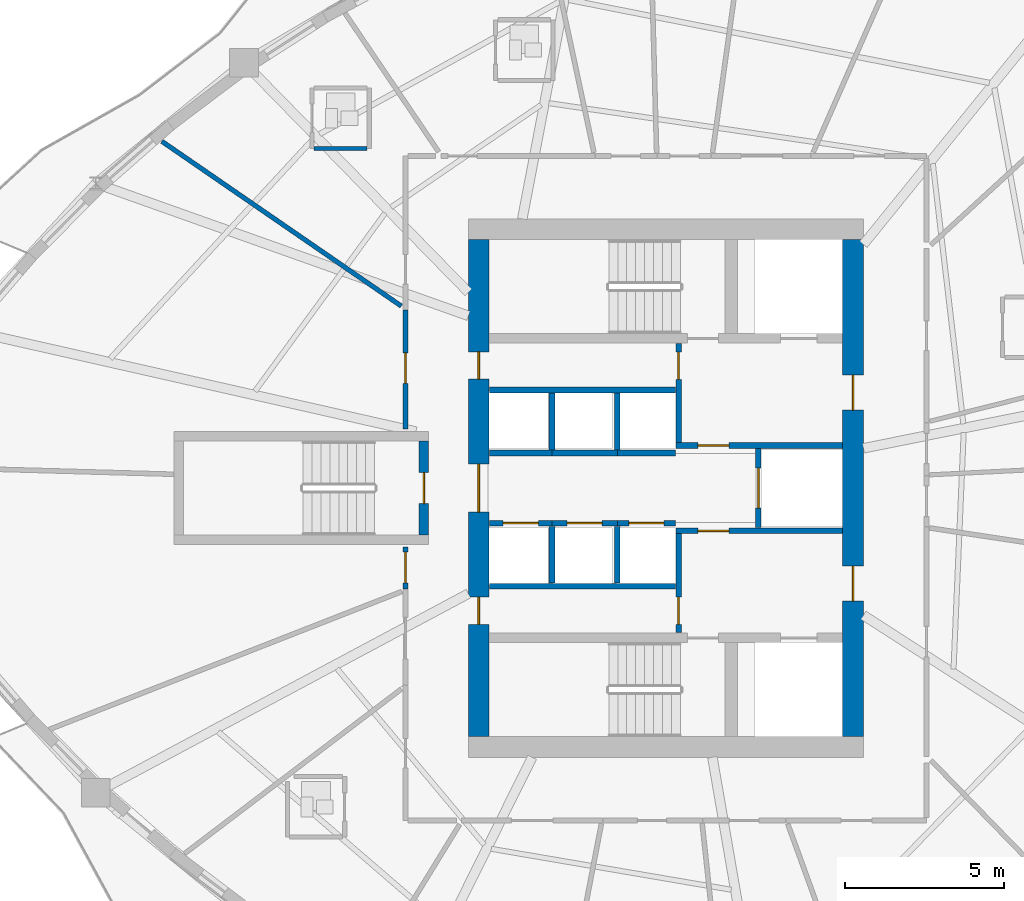
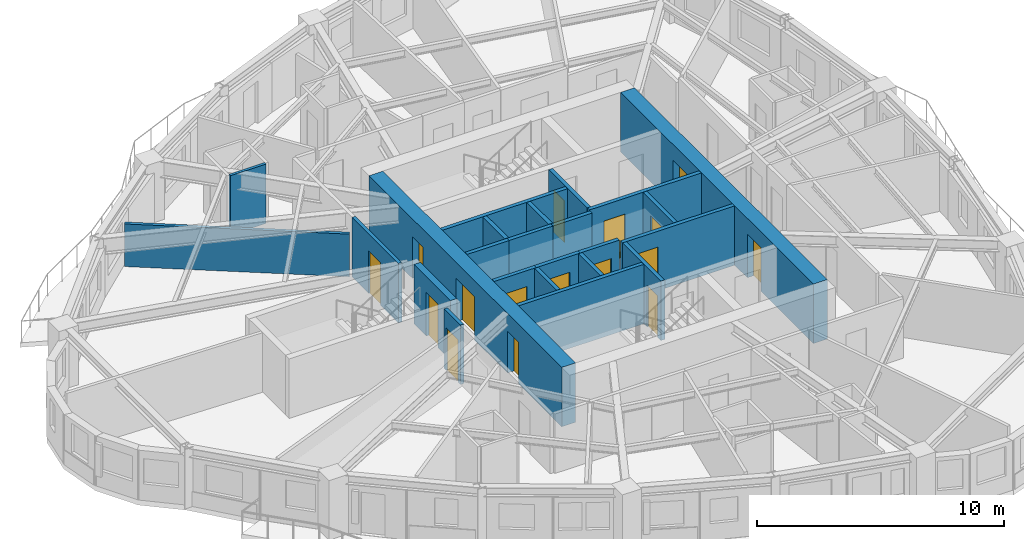
# One storey, part 5 of 12: 24 walls, 16 doors, 16 openings.
"""IFC4 building model written with IfcOpenShell, lengths in metres."""

from ifc_helpers import new_model, si_unit, direction, frame, frame_2d, origin, place, context, subcontext, project, spatial, rectangle, extrude, source, transform, mapped, material, layer, layer_set, type_object, element, fill, save


model = new_model("IFC4")

# Units and contexts
model_context = context("Model", 3, precision=1e-05, world=origin(), true_north=direction((0.0, 1.0)))
body_context = subcontext(model_context, "Body", "Model", "MODEL_VIEW")
ifc_project = project(units=[si_unit("LENGTHUNIT", "METRE"), si_unit("AREAUNIT", "SQUARE_METRE"), si_unit("VOLUMEUNIT", "CUBIC_METRE"), si_unit("PLANEANGLEUNIT", "RADIAN"), si_unit("MASSUNIT", "GRAM", prefix="KILO")], contexts=[model_context])

# Site, building, storey
site_placement = place(None, origin())
site = spatial("IfcSite", under=ifc_project, at=site_placement, CompositionType="ELEMENT")
building_placement = place(site_placement, origin())
building = spatial("IfcBuilding", under=site, at=building_placement, Name="Qafzar Sky-Pleat Residences", CompositionType="ELEMENT")
storey_placement = place(building_placement, frame((0.0, 0.0, 76.800048828125)))
storey = spatial("IfcBuildingStorey", under=building, at=storey_placement, Name="L22", CompositionType="ELEMENT", Elevation=76.800048828125)

# Wall, opening, door
ifc_material_1 = material(Name="Acoustic gypsum plasterboard partition", Category="gypsum")
ifc_layer_1 = layer(ifc_material_1, 0.159912109375)
ifc_layer_set_1 = layer_set([ifc_layer_1], Name="Acoustic gypsum plasterboard partition")
wall_type_1 = type_object("IfcWallType", Name="PART-COR-160", PredefinedType="PARTITIONING", material=ifc_layer_set_1)
wall_1_placement = place(storey_placement, frame((22.169921875, 27.85009765625, 0.0), z_axis=(0.0, 0.0, 1.0), x_axis=(0.0, 1.0, 0.0)))
wall_1 = element("IfcWall", 1, at=wall_1_placement, inside=storey, type_object=wall_type_1, Name="L22 Partition Wall PART-L22-PW-008", PredefinedType="PARTITIONING", context=body_context, shape_type="SweptSolid", body=[
    extrude(rectangle(XDim=3.744873046875, YDim=0.159912109375, at=frame_2d((1.87255859375, 0.0))), origin(), (0.0, 0.0, 1.0), 2.93505859375),
])
opening_1_placement = place(wall_1_placement, frame((1.4384765625, 0.0, 0.0)))
opening_1 = element("IfcOpeningElement", 2, at=opening_1_placement, cuts=wall_1, Name="Opening ID-06", PredefinedType="OPENING", context=body_context, shape_type="SweptSolid", body=[
    extrude(rectangle(XDim=0.9599609375, YDim=2.10009765625, at=frame_2d((0.47998046875, 1.050048828125))), frame((0.0, 0.08984375, 0.0), z_axis=(0.0, -1.0, 0.0), x_axis=(1.0, 0.0, 0.0)), (0.0, 0.0, 1.0), 0.179931640625),
])
ifc_material_2 = material(Name="Timber-faced fire door", Category="wood")
door_type_1 = type_object("IfcDoorType", Name="DR-STD-960", OperationType="NOTDEFINED", PredefinedType="DOOR", material=ifc_material_2)
shared_shape_1 = source(origin(), body_context, "Body", "SweptSolid", [
    extrude(rectangle(XDim=0.9599609375, YDim=2.10009765625, at=frame_2d((0.47998046875, 1.050048828125))), frame((0.0, 0.02490234375, 0.0), z_axis=(0.0, -1.0, 0.0), x_axis=(1.0, 0.0, 0.0)), (0.0, 0.0, 1.0), 0.050048828125),
])
door_1_placement = place(opening_1_placement, origin())
door_1 = element("IfcDoor", 3, at=door_1_placement, inside=storey, type_object=door_type_1, Name="L22 Scholar Co-Working Workspace Door", OperationType="SINGLE_SWING_RIGHT", OverallHeight=2.10009765625, OverallWidth=0.9599609375, PredefinedType="DOOR", context=body_context, shape_type="MappedRepresentation", body=[
    mapped(shared_shape_1, transform((0.0, 0.0, 0.0), x_axis=(1.0, 0.0, 0.0), y_axis=(0.0, 1.0, 0.0), z_axis=(0.0, 0.0, 1.0), scale=1.0)),
])
fill(opening_1, door_1)

wall_2_placement = place(storey_placement, frame((22.169921875, 22.8291015625, 0.0), z_axis=(0.0, 0.0, 1.0), x_axis=(0.0, 1.0, 0.0)))
wall_2 = element("IfcWall", 4, at=wall_2_placement, inside=storey, type_object=wall_type_1, Name="L22 Partition Wall PART-L22-PW-024", PredefinedType="PARTITIONING", context=body_context, shape_type="SweptSolid", body=[
    extrude(rectangle(XDim=1.32080078125, YDim=0.159912109375, at=frame_2d((0.660400390625, 0.0))), origin(), (0.0, 0.0, 1.0), 2.93505859375),
])
opening_2_placement = place(wall_2_placement, frame((0.198486328125, 0.0, 0.0)))
opening_2 = element("IfcOpeningElement", 5, at=opening_2_placement, cuts=wall_2, Name="Opening ID-06", PredefinedType="OPENING", context=body_context, shape_type="SweptSolid", body=[
    extrude(rectangle(XDim=0.9599609375, YDim=2.10009765625, at=frame_2d((0.47998046875, 1.050048828125))), frame((0.0, 0.08984375, 0.0), z_axis=(0.0, -1.0, 0.0), x_axis=(1.0, 0.0, 0.0)), (0.0, 0.0, 1.0), 0.179931640625),
])
door_2_placement = place(opening_2_placement, origin())
door_2 = element("IfcDoor", 6, at=door_2_placement, inside=storey, type_object=door_type_1, Name="L22 Faculty Research Office Door", OperationType="SINGLE_SWING_RIGHT", OverallHeight=2.10009765625, OverallWidth=0.9599609375, PredefinedType="DOOR", context=body_context, shape_type="MappedRepresentation", body=[
    mapped(shared_shape_1, transform((0.0, 0.0, 0.0), x_axis=(1.0, 0.0, 0.0), y_axis=(0.0, 1.0, 0.0), z_axis=(0.0, 0.0, 1.0), scale=1.0)),
])
fill(opening_2, door_2)

ifc_material_3 = material(Name="Concrete blockwork partition", Category="masonry")
ifc_layer_2 = layer(ifc_material_3, 0.179931640625)
ifc_layer_set_2 = layer_set([ifc_layer_2], Name="Concrete blockwork partition")
wall_type_2 = type_object("IfcWallType", Name="PART-SHAFT-180", PredefinedType="PARTITIONING", material=ifc_layer_set_2)
wall_3_placement = place(storey_placement, frame((30.75, 21.4599609375, 0.0), z_axis=(0.0, 0.0, 1.0), x_axis=(0.0, 1.0, 0.0)))
wall_3 = element("IfcWall", 7, at=wall_3_placement, inside=storey, type_object=wall_type_2, Name="L22 Partition Wall PART-L22-FFL1-W", PredefinedType="PARTITIONING", context=body_context, shape_type="SweptSolid", body=[
    extrude(rectangle(XDim=3.110107421875, YDim=0.179931640625, at=frame_2d((1.55517578125, 0.0))), origin(), (0.0, 0.0, 1.0), 2.93505859375),
])
opening_3_placement = place(wall_3_placement, frame((0.260009765625, 0.0, 0.0)))
opening_3 = element("IfcOpeningElement", 8, at=opening_3_placement, cuts=wall_3, Name="Opening ID-09", PredefinedType="OPENING", context=body_context, shape_type="SweptSolid", body=[
    extrude(rectangle(XDim=0.860107421875, YDim=2.050048828125, at=frame_2d((0.43017578125, 1.02490234375))), frame((0.0, 0.10009765625, 0.0), z_axis=(0.0, -1.0, 0.0), x_axis=(1.0, 0.0, 0.0)), (0.0, 0.0, 1.0), 0.199951171875),
])
door_type_2 = type_object("IfcDoorType", Name="DR-SVC-860", OperationType="NOTDEFINED", PredefinedType="DOOR", material=ifc_material_2)
shared_shape_2 = source(origin(), body_context, "Body", "SweptSolid", [
    extrude(rectangle(XDim=0.860107421875, YDim=2.050048828125, at=frame_2d((0.43017578125, 1.02490234375))), frame((0.0, 0.02490234375, 0.0), z_axis=(0.0, -1.0, 0.0), x_axis=(1.0, 0.0, 0.0)), (0.0, 0.0, 1.0), 0.050048828125),
])
door_3_placement = place(opening_3_placement, origin())
door_3 = element("IfcDoor", 9, at=door_3_placement, inside=storey, type_object=door_type_2, Name="L22 South Core Cupboard Door", OperationType="SINGLE_SWING_RIGHT", OverallHeight=2.050048828125, OverallWidth=0.860107421875, PredefinedType="DOOR", context=body_context, shape_type="MappedRepresentation", body=[
    mapped(shared_shape_2, transform((0.0, 0.0, 0.0), x_axis=(1.0, 0.0, 0.0), y_axis=(0.0, 1.0, 0.0), z_axis=(0.0, 0.0, 1.0), scale=1.0)),
])
fill(opening_3, door_3)

wall_4_placement = place(storey_placement, frame((30.669921875, 24.659912109375, 0.0), z_axis=(0.0, 0.0, 1.0), x_axis=(1.0, 0.0, 0.0)))
wall_4 = element("IfcWall", 10, at=wall_4_placement, inside=storey, type_object=wall_type_2, Name="L22 Partition Wall PART-L22-FFL1-N", PredefinedType="PARTITIONING", context=body_context, shape_type="SweptSolid", body=[
    extrude(rectangle(XDim=5.219970703125, YDim=0.179931640625, at=frame_2d((2.60986328125, 0.0))), origin(), (0.0, 0.0, 1.0), 2.93505859375),
])
opening_4_placement = place(wall_4_placement, frame((0.679931640625, 0.0, 0.0)))
opening_4 = element("IfcOpeningElement", 11, at=opening_4_placement, cuts=wall_4, Name="Opening ID-01", PredefinedType="OPENING", context=body_context, shape_type="SweptSolid", body=[
    extrude(rectangle(XDim=0.97998046875, YDim=2.14990234375, at=frame_2d((0.489990234375, 1.074951171875))), frame((0.0, 0.10009765625, 0.0), z_axis=(0.0, -1.0, 0.0), x_axis=(1.0, 0.0, 0.0)), (0.0, 0.0, 1.0), 0.199951171875),
])
door_type_3 = type_object("IfcDoorType", Name="DR-STAIR-980", OperationType="NOTDEFINED", PredefinedType="DOOR", material=ifc_material_2)
shared_shape_3 = source(origin(), body_context, "Body", "SweptSolid", [
    extrude(rectangle(XDim=0.97998046875, YDim=2.14990234375, at=frame_2d((0.489990234375, 1.074951171875))), frame((0.0, 0.02490234375, 0.0), z_axis=(0.0, -1.0, 0.0), x_axis=(1.0, 0.0, 0.0)), (0.0, 0.0, 1.0), 0.050048828125),
])
door_4_placement = place(opening_4_placement, origin())
door_4 = element("IfcDoor", 12, at=door_4_placement, inside=storey, type_object=door_type_3, Name="L22 Lift Lobby to South Firefighting Lobby Door", OperationType="SINGLE_SWING_LEFT", OverallHeight=2.14990234375, OverallWidth=0.97998046875, PredefinedType="DOOR", context=body_context, shape_type="MappedRepresentation", body=[
    mapped(shared_shape_3, transform((0.0, 0.0, 0.0), x_axis=(1.0, 0.0, 0.0), y_axis=(0.0, 1.0, 0.0), z_axis=(0.0, 0.0, 1.0), scale=1.0)),
])
fill(opening_4, door_4)

wall_5_placement = place(storey_placement, frame((30.75, 27.429931640625, 0.0), z_axis=(0.0, 0.0, 1.0), x_axis=(0.0, 1.0, 0.0)))
wall_5 = element("IfcWall", 13, at=wall_5_placement, inside=storey, type_object=wall_type_2, Name="L22 Partition Wall PART-L22-FFL2-W", PredefinedType="PARTITIONING", context=body_context, shape_type="SweptSolid", body=[
    extrude(rectangle(XDim=3.110107421875, YDim=0.179931640625, at=frame_2d((1.55517578125, 0.0))), origin(), (0.0, 0.0, 1.0), 2.93505859375),
])
opening_5_placement = place(wall_5_placement, frame((1.97998046875, 0.0, 0.0)))
opening_5 = element("IfcOpeningElement", 14, at=opening_5_placement, cuts=wall_5, Name="Opening ID-09", PredefinedType="OPENING", context=body_context, shape_type="SweptSolid", body=[
    extrude(rectangle(XDim=0.860107421875, YDim=2.050048828125, at=frame_2d((0.43017578125, 1.02490234375))), frame((0.0, 0.10009765625, 0.0), z_axis=(0.0, -1.0, 0.0), x_axis=(1.0, 0.0, 0.0)), (0.0, 0.0, 1.0), 0.199951171875),
])
door_5_placement = place(opening_5_placement, origin())
door_5 = element("IfcDoor", 15, at=door_5_placement, inside=storey, type_object=door_type_2, Name="L22 North Core Cupboard Door", OperationType="SINGLE_SWING_RIGHT", OverallHeight=2.050048828125, OverallWidth=0.860107421875, PredefinedType="DOOR", context=body_context, shape_type="MappedRepresentation", body=[
    mapped(shared_shape_2, transform((0.0, 0.0, 0.0), x_axis=(1.0, 0.0, 0.0), y_axis=(0.0, 1.0, 0.0), z_axis=(0.0, 0.0, 1.0), scale=1.0)),
])
fill(opening_5, door_5)

wall_6_placement = place(storey_placement, frame((30.669921875, 27.340087890625, 0.0), z_axis=(0.0, 0.0, 1.0), x_axis=(1.0, 0.0, 0.0)))
wall_6 = element("IfcWall", 16, at=wall_6_placement, inside=storey, type_object=wall_type_2, Name="L22 Partition Wall PART-L22-FFL2-S", PredefinedType="PARTITIONING", context=body_context, shape_type="SweptSolid", body=[
    extrude(rectangle(XDim=5.219970703125, YDim=0.179931640625, at=frame_2d((2.60986328125, 0.0))), origin(), (0.0, 0.0, 1.0), 2.93505859375),
])
opening_6_placement = place(wall_6_placement, frame((0.679931640625, 0.0, 0.0)))
opening_6 = element("IfcOpeningElement", 17, at=opening_6_placement, cuts=wall_6, Name="Opening ID-01", PredefinedType="OPENING", context=body_context, shape_type="SweptSolid", body=[
    extrude(rectangle(XDim=0.97998046875, YDim=2.14990234375, at=frame_2d((0.489990234375, 1.074951171875))), frame((0.0, 0.10009765625, 0.0), z_axis=(0.0, -1.0, 0.0), x_axis=(1.0, 0.0, 0.0)), (0.0, 0.0, 1.0), 0.199951171875),
])
door_6_placement = place(opening_6_placement, origin())
door_6 = element("IfcDoor", 18, at=door_6_placement, inside=storey, type_object=door_type_3, Name="L22 Lift Lobby to North Firefighting Lobby Door", OperationType="SINGLE_SWING_LEFT", OverallHeight=2.14990234375, OverallWidth=0.97998046875, PredefinedType="DOOR", context=body_context, shape_type="MappedRepresentation", body=[
    mapped(shared_shape_3, transform((0.0, 0.0, 0.0), x_axis=(1.0, 0.0, 0.0), y_axis=(0.0, 1.0, 0.0), z_axis=(0.0, 0.0, 1.0), scale=1.0)),
])
fill(opening_6, door_6)

wall_7_placement = place(storey_placement, frame((33.25, 24.760009765625, 0.0), z_axis=(0.0, 0.0, 1.0), x_axis=(0.0, 1.0, 0.0)))
wall_7 = element("IfcWall", 19, at=wall_7_placement, inside=storey, type_object=wall_type_2, Name="L22 Partition Wall PART-L22-SV1-W", PredefinedType="PARTITIONING", context=body_context, shape_type="SweptSolid", body=[
    extrude(rectangle(XDim=2.47998046875, YDim=0.179931640625, at=frame_2d((1.239990234375, 0.0))), origin(), (0.0, 0.0, 1.0), 2.93505859375),
])
opening_7_placement = place(wall_7_placement, frame((0.614990234375, 0.0, 0.0)))
opening_7 = element("IfcOpeningElement", 20, at=opening_7_placement, cuts=wall_7, Name="Opening LD-03", PredefinedType="OPENING", context=body_context, shape_type="SweptSolid", body=[
    extrude(rectangle(XDim=1.25, YDim=2.14990234375, at=frame_2d((0.625, 1.074951171875))), frame((0.0, 0.10009765625, 0.0), z_axis=(0.0, -1.0, 0.0), x_axis=(1.0, 0.0, 0.0)), (0.0, 0.0, 1.0), 0.199951171875),
])
ifc_material_4 = material(Name="Stainless steel sliding landing door", Category="steel")
door_type_4 = type_object("IfcDoorType", Name="DR-LIFT-SV", OperationType="DOUBLE_DOOR_SLIDING", PredefinedType="DOOR", material=ifc_material_4)
shared_shape_4 = source(origin(), body_context, "Body", "SweptSolid", [
    extrude(rectangle(XDim=1.25, YDim=2.14990234375, at=frame_2d((0.625, 1.074951171875))), frame((0.0, 0.02490234375, 0.0), z_axis=(0.0, -1.0, 0.0), x_axis=(1.0, 0.0, 0.0)), (0.0, 0.0, 1.0), 0.050048828125),
])
door_7_placement = place(opening_7_placement, origin())
door_7 = element("IfcDoor", 21, at=door_7_placement, inside=storey, type_object=door_type_4, Name="L22 Service Lift SV1 Landing Door", OperationType="DOUBLE_DOOR_SLIDING", OverallHeight=2.14990234375, OverallWidth=1.25, PredefinedType="DOOR", context=body_context, shape_type="MappedRepresentation", body=[
    mapped(shared_shape_4, transform((0.0, 0.0, 0.0), x_axis=(1.0, 0.0, 0.0), y_axis=(0.0, 1.0, 0.0), z_axis=(0.0, 0.0, 1.0), scale=1.0)),
])
fill(opening_7, door_7)

# Wall
wall_8_placement = place(storey_placement, frame((24.81005859375, 22.919921875, 0.0), z_axis=(0.0, 0.0, 1.0), x_axis=(1.0, 0.0, 0.0)))
element("IfcWall", 22, at=wall_8_placement, inside=storey, type_object=wall_type_2, Name="L22 Partition Wall PART-L22-P13-S", PredefinedType="PARTITIONING", context=body_context, shape_type="SweptSolid", body=[
    extrude(rectangle(XDim=5.83984375, YDim=0.179931640625, at=frame_2d((2.919921875, 0.0))), origin(), (0.0, 0.0, 1.0), 2.93505859375),
])

# Wall, opening, door
wall_9_placement = place(storey_placement, frame((24.81005859375, 24.89990234375, 0.0), z_axis=(0.0, 0.0, 1.0), x_axis=(1.0, 0.0, 0.0)))
wall_9 = element("IfcWall", 23, at=wall_9_placement, inside=storey, type_object=wall_type_2, Name="L22 Partition Wall PART-L22-P1-N", PredefinedType="PARTITIONING", context=body_context, shape_type="SweptSolid", body=[
    extrude(rectangle(XDim=1.96484375, YDim=0.179931640625, at=frame_2d((0.982421875, 0.0))), origin(), (0.0, 0.0, 1.0), 2.93505859375),
])
opening_8_placement = place(wall_9_placement, frame((0.4326171875, 0.0, 0.0)))
opening_8 = element("IfcOpeningElement", 24, at=opening_8_placement, cuts=wall_9, Name="Opening LD-01", PredefinedType="OPENING", context=body_context, shape_type="SweptSolid", body=[
    extrude(rectangle(XDim=1.10009765625, YDim=2.14990234375, at=frame_2d((0.550048828125, 1.074951171875))), frame((0.0, 0.10009765625, 0.0), z_axis=(0.0, -1.0, 0.0), x_axis=(1.0, 0.0, 0.0)), (0.0, 0.0, 1.0), 0.199951171875),
])
door_type_5 = type_object("IfcDoorType", Name="DR-LIFT-P", OperationType="DOUBLE_DOOR_SLIDING", PredefinedType="DOOR", material=ifc_material_4)
shared_shape_5 = source(origin(), body_context, "Body", "SweptSolid", [
    extrude(rectangle(XDim=1.10009765625, YDim=2.14990234375, at=frame_2d((0.550048828125, 1.074951171875))), frame((0.0, 0.02490234375, 0.0), z_axis=(0.0, -1.0, 0.0), x_axis=(1.0, 0.0, 0.0)), (0.0, 0.0, 1.0), 0.050048828125),
])
door_8_placement = place(opening_8_placement, origin())
door_8 = element("IfcDoor", 25, at=door_8_placement, inside=storey, type_object=door_type_5, Name="L22 Passenger Lift P1 Landing Door", OperationType="DOUBLE_DOOR_SLIDING", OverallHeight=2.14990234375, OverallWidth=1.10009765625, PredefinedType="DOOR", context=body_context, shape_type="MappedRepresentation", body=[
    mapped(shared_shape_5, transform((0.0, 0.0, 0.0), x_axis=(1.0, 0.0, 0.0), y_axis=(0.0, 1.0, 0.0), z_axis=(0.0, 0.0, 1.0), scale=1.0)),
])
fill(opening_8, door_8)

wall_10_placement = place(storey_placement, frame((26.77490234375, 24.89990234375, 0.0), z_axis=(0.0, 0.0, 1.0), x_axis=(1.0, 0.0, 0.0)))
wall_10 = element("IfcWall", 26, at=wall_10_placement, inside=storey, type_object=wall_type_2, Name="L22 Partition Wall PART-L22-P2-N", PredefinedType="PARTITIONING", context=body_context, shape_type="SweptSolid", body=[
    extrude(rectangle(XDim=2.050048828125, YDim=0.179931640625, at=frame_2d((1.02490234375, 0.0))), origin(), (0.0, 0.0, 1.0), 2.93505859375),
])
opening_9_placement = place(wall_10_placement, frame((0.47509765625, 0.0, 0.0)))
opening_9 = element("IfcOpeningElement", 27, at=opening_9_placement, cuts=wall_10, Name="Opening LD-01", PredefinedType="OPENING", context=body_context, shape_type="SweptSolid", body=[
    extrude(rectangle(XDim=1.10009765625, YDim=2.14990234375, at=frame_2d((0.550048828125, 1.074951171875))), frame((0.0, 0.10009765625, 0.0), z_axis=(0.0, -1.0, 0.0), x_axis=(1.0, 0.0, 0.0)), (0.0, 0.0, 1.0), 0.199951171875),
])
door_9_placement = place(opening_9_placement, origin())
door_9 = element("IfcDoor", 28, at=door_9_placement, inside=storey, type_object=door_type_5, Name="L22 Passenger Lift P2 Landing Door", OperationType="DOUBLE_DOOR_SLIDING", OverallHeight=2.14990234375, OverallWidth=1.10009765625, PredefinedType="DOOR", context=body_context, shape_type="MappedRepresentation", body=[
    mapped(shared_shape_5, transform((0.0, 0.0, 0.0), x_axis=(1.0, 0.0, 0.0), y_axis=(0.0, 1.0, 0.0), z_axis=(0.0, 0.0, 1.0), scale=1.0)),
])
fill(opening_9, door_9)

# Wall
wall_11_placement = place(storey_placement, frame((26.77490234375, 23.02001953125, 0.0), z_axis=(0.0, 0.0, 1.0), x_axis=(0.0, 1.0, 0.0)))
element("IfcWall", 29, at=wall_11_placement, inside=storey, type_object=wall_type_2, Name="L22 Partition Wall PART-L22-P13-DIV-1", PredefinedType="PARTITIONING", context=body_context, shape_type="SweptSolid", body=[
    extrude(rectangle(XDim=1.780029296875, YDim=0.179931640625, at=frame_2d((0.89013671875, 0.0))), origin(), (0.0, 0.0, 1.0), 2.93505859375),
])

# Wall, opening, door
wall_12_placement = place(storey_placement, frame((28.824951171875, 24.89990234375, 0.0), z_axis=(0.0, 0.0, 1.0), x_axis=(1.0, 0.0, 0.0)))
wall_12 = element("IfcWall", 30, at=wall_12_placement, inside=storey, type_object=wall_type_2, Name="L22 Partition Wall PART-L22-P3-N", PredefinedType="PARTITIONING", context=body_context, shape_type="SweptSolid", body=[
    extrude(rectangle(XDim=1.824951171875, YDim=0.179931640625, at=frame_2d((0.91259765625, 0.0))), origin(), (0.0, 0.0, 1.0), 2.93505859375),
])
opening_10_placement = place(wall_12_placement, frame((0.362548828125, 0.0, 0.0)))
opening_10 = element("IfcOpeningElement", 31, at=opening_10_placement, cuts=wall_12, Name="Opening LD-01", PredefinedType="OPENING", context=body_context, shape_type="SweptSolid", body=[
    extrude(rectangle(XDim=1.10009765625, YDim=2.14990234375, at=frame_2d((0.550048828125, 1.074951171875))), frame((0.0, 0.10009765625, 0.0), z_axis=(0.0, -1.0, 0.0), x_axis=(1.0, 0.0, 0.0)), (0.0, 0.0, 1.0), 0.199951171875),
])
door_10_placement = place(opening_10_placement, origin())
door_10 = element("IfcDoor", 32, at=door_10_placement, inside=storey, type_object=door_type_5, Name="L22 Passenger Lift P3 Landing Door", OperationType="DOUBLE_DOOR_SLIDING", OverallHeight=2.14990234375, OverallWidth=1.10009765625, PredefinedType="DOOR", context=body_context, shape_type="MappedRepresentation", body=[
    mapped(shared_shape_5, transform((0.0, 0.0, 0.0), x_axis=(1.0, 0.0, 0.0), y_axis=(0.0, 1.0, 0.0), z_axis=(0.0, 0.0, 1.0), scale=1.0)),
])
fill(opening_10, door_10)

# Walls
wall_13_placement = place(storey_placement, frame((28.824951171875, 23.02001953125, 0.0), z_axis=(0.0, 0.0, 1.0), x_axis=(0.0, 1.0, 0.0)))
element("IfcWall", 33, at=wall_13_placement, inside=storey, type_object=wall_type_2, Name="L22 Partition Wall PART-L22-P13-DIV-2", PredefinedType="PARTITIONING", context=body_context, shape_type="SweptSolid", body=[
    extrude(rectangle(XDim=1.780029296875, YDim=0.179931640625, at=frame_2d((0.89013671875, 0.0))), origin(), (0.0, 0.0, 1.0), 2.93505859375),
])
wall_14_placement = place(storey_placement, frame((24.81005859375, 29.080078125, 0.0), z_axis=(0.0, 0.0, 1.0), x_axis=(1.0, 0.0, 0.0)))
element("IfcWall", 34, at=wall_14_placement, inside=storey, type_object=wall_type_2, Name="L22 Partition Wall PART-L22-P46-N", PredefinedType="PARTITIONING", context=body_context, shape_type="SweptSolid", body=[
    extrude(rectangle(XDim=5.83984375, YDim=0.179931640625, at=frame_2d((2.919921875, 0.0))), origin(), (0.0, 0.0, 1.0), 2.93505859375),
])
wall_15_placement = place(storey_placement, frame((24.81005859375, 27.10009765625, 0.0), z_axis=(0.0, 0.0, 1.0), x_axis=(1.0, 0.0, 0.0)))
element("IfcWall", 35, at=wall_15_placement, inside=storey, type_object=wall_type_2, Name="L22 Partition Wall PART-L22-P4-S", PredefinedType="PARTITIONING", context=body_context, shape_type="SweptSolid", body=[
    extrude(rectangle(XDim=1.96484375, YDim=0.179931640625, at=frame_2d((0.982421875, 0.0))), origin(), (0.0, 0.0, 1.0), 2.93505859375),
])
wall_16_placement = place(storey_placement, frame((26.77490234375, 27.10009765625, 0.0), z_axis=(0.0, 0.0, 1.0), x_axis=(1.0, 0.0, 0.0)))
element("IfcWall", 36, at=wall_16_placement, inside=storey, type_object=wall_type_2, Name="L22 Partition Wall PART-L22-P5-S", PredefinedType="PARTITIONING", context=body_context, shape_type="SweptSolid", body=[
    extrude(rectangle(XDim=2.050048828125, YDim=0.179931640625, at=frame_2d((1.02490234375, 0.0))), origin(), (0.0, 0.0, 1.0), 2.93505859375),
])
wall_17_placement = place(storey_placement, frame((26.77490234375, 27.199951171875, 0.0), z_axis=(0.0, 0.0, 1.0), x_axis=(0.0, 1.0, 0.0)))
element("IfcWall", 37, at=wall_17_placement, inside=storey, type_object=wall_type_2, Name="L22 Partition Wall PART-L22-P46-DIV-1", PredefinedType="PARTITIONING", context=body_context, shape_type="SweptSolid", body=[
    extrude(rectangle(XDim=1.780029296875, YDim=0.179931640625, at=frame_2d((0.89013671875, 0.0))), origin(), (0.0, 0.0, 1.0), 2.93505859375),
])
wall_18_placement = place(storey_placement, frame((28.824951171875, 27.10009765625, 0.0), z_axis=(0.0, 0.0, 1.0), x_axis=(1.0, 0.0, 0.0)))
element("IfcWall", 38, at=wall_18_placement, inside=storey, type_object=wall_type_2, Name="L22 Partition Wall PART-L22-P6-S", PredefinedType="PARTITIONING", context=body_context, shape_type="SweptSolid", body=[
    extrude(rectangle(XDim=1.824951171875, YDim=0.179931640625, at=frame_2d((0.91259765625, 0.0))), origin(), (0.0, 0.0, 1.0), 2.93505859375),
])
wall_19_placement = place(storey_placement, frame((28.824951171875, 27.199951171875, 0.0), z_axis=(0.0, 0.0, 1.0), x_axis=(0.0, 1.0, 0.0)))
element("IfcWall", 39, at=wall_19_placement, inside=storey, type_object=wall_type_2, Name="L22 Partition Wall PART-L22-P46-DIV-2", PredefinedType="PARTITIONING", context=body_context, shape_type="SweptSolid", body=[
    extrude(rectangle(XDim=1.780029296875, YDim=0.179931640625, at=frame_2d((0.89013671875, 0.0))), origin(), (0.0, 0.0, 1.0), 2.93505859375),
])
ifc_layer_3 = layer(ifc_material_1, 0.14501953125)
ifc_layer_set_3 = layer_set([ifc_layer_3], Name="Acoustic gypsum plasterboard partition")
wall_type_3 = type_object("IfcWallType", Name="PART-UNIT-145", PredefinedType="PARTITIONING", material=ifc_layer_set_3)
wall_20_placement = place(storey_placement, frame((14.527099609375, 36.88623046875, 0.0), z_axis=(0.0, 0.0, 1.0), x_axis=(0.823849772282, -0.566808215106, 0.0)))
element("IfcWall", 40, at=wall_20_placement, inside=storey, type_object=wall_type_3, Name="L22 Partition Wall PART-L22-PW-028", PredefinedType="PARTITIONING", context=body_context, shape_type="SweptSolid", body=[
    extrude(rectangle(XDim=9.1220703125, YDim=0.14501953125, at=frame_2d((4.56103515625, 0.0))), origin(), (0.0, 0.0, 1.0), 2.10302734375),
])
ifc_material_5 = material(Name="Moisture-resistant gypsum partition", Category="gypsum")
ifc_layer_4 = layer(ifc_material_5, 0.1298828125)
ifc_layer_set_4 = layer_set([ifc_layer_4], Name="Moisture-resistant gypsum partition")
wall_type_4 = type_object("IfcWallType", Name="PART-WET-130", PredefinedType="PARTITIONING", material=ifc_layer_set_4)
wall_21_placement = place(storey_placement, frame((19.31005859375, 36.660888671875, 0.0), z_axis=(0.0, 0.0, 1.0), x_axis=(1.0, 0.0, 0.0)))
element("IfcWall", 41, at=wall_21_placement, inside=storey, type_object=wall_type_4, Name="L22 Partition Wall PART-L22-PW-057", PredefinedType="PARTITIONING", context=body_context, shape_type="SweptSolid", body=[
    extrude(rectangle(XDim=1.654052734375, YDim=0.1298828125, at=frame_2d((0.8271484375, 0.0))), origin(), (0.0, 0.0, 1.0), 2.93505859375),
])

# Wall, opening, door
ifc_material_6 = material(Name="Concrete C60/75", Category="concrete")
ifc_layer_5 = layer(ifc_material_6, 0.300048828125)
ifc_layer_set_5 = layer_set([ifc_layer_5], Name="Concrete C60/75")
wall_type_5 = type_object("IfcWallType", Name="WALL-SHEAR-300", PredefinedType="SHEAR", material=ifc_layer_set_5)
wall_22_placement = place(storey_placement, frame((22.75, 24.52490234375, 0.0), z_axis=(0.0, 0.0, 1.0), x_axis=(0.0, 1.0, 0.0)))
wall_22 = element("IfcWall", 42, at=wall_22_placement, inside=storey, type_object=wall_type_5, Name="L22 ST3 wall E", PredefinedType="SHEAR", context=body_context, shape_type="SweptSolid", body=[
    extrude(rectangle(XDim=2.9501953125, YDim=0.300048828125, at=frame_2d((1.47509765625, 0.0))), origin(), (0.0, 0.0, 1.0), 2.93505859375),
])
opening_11_placement = place(wall_22_placement, frame((0.985107421875, 0.0, 0.0)))
opening_11 = element("IfcOpeningElement", 43, at=opening_11_placement, cuts=wall_22, Name="Opening ID-01", PredefinedType="OPENING", context=body_context, shape_type="SweptSolid", body=[
    extrude(rectangle(XDim=0.97998046875, YDim=2.14990234375, at=frame_2d((0.489990234375, 1.074951171875))), frame((0.0, 0.16015625, 0.0), z_axis=(0.0, -1.0, 0.0), x_axis=(1.0, 0.0, 0.0)), (0.0, 0.0, 1.0), 0.320068359375),
])
door_11_placement = place(opening_11_placement, origin())
door_11 = element("IfcDoor", 44, at=door_11_placement, inside=storey, type_object=door_type_3, Name="L22 Stair ST3 Fire Door", OperationType="SINGLE_SWING_LEFT", OverallHeight=2.14990234375, OverallWidth=0.97998046875, PredefinedType="DOOR", context=body_context, shape_type="MappedRepresentation", body=[
    mapped(shared_shape_3, transform((0.0, 0.0, 0.0), x_axis=(1.0, 0.0, 0.0), y_axis=(0.0, 1.0, 0.0), z_axis=(0.0, 0.0, 1.0), scale=1.0)),
])
fill(opening_11, door_11)

# Wall, openings, doors
ifc_layer_6 = layer(ifc_material_6, 0.64990234375)
ifc_layer_set_6 = layer_set([ifc_layer_6], Name="Concrete C60/75")
wall_type_6 = type_object("IfcWallType", Name="WALL-SHEAR-650", PredefinedType="SHEAR", material=ifc_layer_set_6)
wall_23_placement = place(storey_placement, frame((24.47509765625, 33.800048828125, 0.0), z_axis=(0.0, 0.0, 1.0), x_axis=(0.0, -1.0, 0.0)))
wall_23 = element("IfcWall", 45, at=wall_23_placement, inside=storey, type_object=wall_type_6, Name="L22 CORE wall W", PredefinedType="SHEAR", context=body_context, shape_type="SweptSolid", body=[
    extrude(rectangle(XDim=15.60009765625, YDim=0.64990234375, at=frame_2d((7.800048828125, 0.0))), origin(), (0.0, 0.0, 1.0), 2.93505859375),
])
opening_12_placement = place(wall_23_placement, frame((7.050048828125, 0.0, 0.0)))
opening_12 = element("IfcOpeningElement", 46, at=opening_12_placement, cuts=wall_23, Name="Opening ID-03", PredefinedType="OPENING", context=body_context, shape_type="SweptSolid", body=[
    extrude(rectangle(XDim=1.5, YDim=2.14990234375, at=frame_2d((0.75, 1.074951171875))), frame((0.0, 0.3349609375, 0.0), z_axis=(0.0, -1.0, 0.0), x_axis=(1.0, 0.0, 0.0)), (0.0, 0.0, 1.0), 0.669921875),
])
opening_13_placement = place(wall_23_placement, frame((3.52001953125, 0.0, 0.0)))
opening_13 = element("IfcOpeningElement", 47, at=opening_13_placement, cuts=wall_23, Name="Opening ID-09", PredefinedType="OPENING", context=body_context, shape_type="SweptSolid", body=[
    extrude(rectangle(XDim=0.860107421875, YDim=2.050048828125, at=frame_2d((0.43017578125, 1.02490234375))), frame((0.0, 0.3349609375, 0.0), z_axis=(0.0, -1.0, 0.0), x_axis=(1.0, 0.0, 0.0)), (0.0, 0.0, 1.0), 0.669921875),
])
opening_14_placement = place(wall_23_placement, frame((11.219970703125, 0.0, 0.0)))
opening_14 = element("IfcOpeningElement", 48, at=opening_14_placement, cuts=wall_23, Name="Opening ID-09", PredefinedType="OPENING", context=body_context, shape_type="SweptSolid", body=[
    extrude(rectangle(XDim=0.860107421875, YDim=2.050048828125, at=frame_2d((0.43017578125, 1.02490234375))), frame((0.0, 0.3349609375, 0.0), z_axis=(0.0, -1.0, 0.0), x_axis=(1.0, 0.0, 0.0)), (0.0, 0.0, 1.0), 0.669921875),
])
door_type_6 = type_object("IfcDoorType", Name="DR-COR-1500", OperationType="DOUBLE_DOOR_SINGLE_SWING", PredefinedType="DOOR", material=ifc_material_2)
shared_shape_6 = source(origin(), body_context, "Body", "SweptSolid", [
    extrude(rectangle(XDim=1.5, YDim=2.14990234375, at=frame_2d((0.75, 1.074951171875))), frame((0.0, 0.02490234375, 0.0), z_axis=(0.0, -1.0, 0.0), x_axis=(1.0, 0.0, 0.0)), (0.0, 0.0, 1.0), 0.050048828125),
])
door_12_placement = place(opening_12_placement, origin())
door_12 = element("IfcDoor", 49, at=door_12_placement, inside=storey, type_object=door_type_6, Name="L22 Lift Lobby West Double Door", OperationType="DOUBLE_DOOR_SINGLE_SWING", OverallHeight=2.14990234375, OverallWidth=1.5, PredefinedType="DOOR", context=body_context, shape_type="MappedRepresentation", body=[
    mapped(shared_shape_6, transform((0.0, 0.0, 0.0), x_axis=(1.0, 0.0, 0.0), y_axis=(0.0, 1.0, 0.0), z_axis=(0.0, 0.0, 1.0), scale=1.0)),
])
fill(opening_12, door_12)
door_13_placement = place(opening_13_placement, origin())
door_13 = element("IfcDoor", 50, at=door_13_placement, inside=storey, type_object=door_type_2, Name="L22 Core North-West Service Door", OperationType="SINGLE_SWING_RIGHT", OverallHeight=2.050048828125, OverallWidth=0.860107421875, PredefinedType="DOOR", context=body_context, shape_type="MappedRepresentation", body=[
    mapped(shared_shape_2, transform((0.0, 0.0, 0.0), x_axis=(1.0, 0.0, 0.0), y_axis=(0.0, 1.0, 0.0), z_axis=(0.0, 0.0, 1.0), scale=1.0)),
])
fill(opening_13, door_13)
door_14_placement = place(opening_14_placement, origin())
door_14 = element("IfcDoor", 51, at=door_14_placement, inside=storey, type_object=door_type_2, Name="L22 Core South-West Service Door", OperationType="SINGLE_SWING_LEFT", OverallHeight=2.050048828125, OverallWidth=0.860107421875, PredefinedType="DOOR", context=body_context, shape_type="MappedRepresentation", body=[
    mapped(shared_shape_2, transform((0.0, 0.0, 0.0), x_axis=(1.0, 0.0, 0.0), y_axis=(0.0, 1.0, 0.0), z_axis=(0.0, 0.0, 1.0), scale=1.0)),
])
fill(opening_14, door_14)

wall_24_placement = place(storey_placement, frame((36.22509765625, 18.199951171875, 0.0), z_axis=(0.0, 0.0, 1.0), x_axis=(0.0, 1.0, 0.0)))
wall_24 = element("IfcWall", 52, at=wall_24_placement, inside=storey, type_object=wall_type_6, Name="L22 CORE wall E", PredefinedType="SHEAR", context=body_context, shape_type="SweptSolid", body=[
    extrude(rectangle(XDim=15.60009765625, YDim=0.64990234375, at=frame_2d((7.800048828125, 0.0))), origin(), (0.0, 0.0, 1.0), 2.93505859375),
])
opening_15_placement = place(wall_24_placement, frame((4.25, 0.0, 0.0)))
opening_15 = element("IfcOpeningElement", 53, at=opening_15_placement, cuts=wall_24, Name="Opening ID-02", PredefinedType="OPENING", context=body_context, shape_type="SweptSolid", body=[
    extrude(rectangle(XDim=1.10009765625, YDim=2.14990234375, at=frame_2d((0.550048828125, 1.074951171875))), frame((0.0, 0.3349609375, 0.0), z_axis=(0.0, -1.0, 0.0), x_axis=(1.0, 0.0, 0.0)), (0.0, 0.0, 1.0), 0.669921875),
])
opening_16_placement = place(wall_24_placement, frame((10.25, 0.0, 0.0)))
opening_16 = element("IfcOpeningElement", 54, at=opening_16_placement, cuts=wall_24, Name="Opening ID-02", PredefinedType="OPENING", context=body_context, shape_type="SweptSolid", body=[
    extrude(rectangle(XDim=1.10009765625, YDim=2.14990234375, at=frame_2d((0.550048828125, 1.074951171875))), frame((0.0, 0.3349609375, 0.0), z_axis=(0.0, -1.0, 0.0), x_axis=(1.0, 0.0, 0.0)), (0.0, 0.0, 1.0), 0.669921875),
])
door_type_7 = type_object("IfcDoorType", Name="DR-FFL-1100", OperationType="NOTDEFINED", PredefinedType="DOOR", material=ifc_material_2)
door_15_placement = place(opening_15_placement, origin())
door_15 = element("IfcDoor", 55, at=door_15_placement, inside=storey, type_object=door_type_7, Name="L22 Firefighting Lobby South Corridor Door", OperationType="SINGLE_SWING_RIGHT", OverallHeight=2.14990234375, OverallWidth=1.10009765625, PredefinedType="DOOR", context=body_context, shape_type="MappedRepresentation", body=[
    mapped(shared_shape_5, transform((0.0, 0.0, 0.0), x_axis=(1.0, 0.0, 0.0), y_axis=(0.0, 1.0, 0.0), z_axis=(0.0, 0.0, 1.0), scale=1.0)),
])
fill(opening_15, door_15)
door_16_placement = place(opening_16_placement, origin())
door_16 = element("IfcDoor", 56, at=door_16_placement, inside=storey, type_object=door_type_7, Name="L22 Firefighting Lobby North Corridor Door", OperationType="SINGLE_SWING_LEFT", OverallHeight=2.14990234375, OverallWidth=1.10009765625, PredefinedType="DOOR", context=body_context, shape_type="MappedRepresentation", body=[
    mapped(shared_shape_5, transform((0.0, 0.0, 0.0), x_axis=(1.0, 0.0, 0.0), y_axis=(0.0, 1.0, 0.0), z_axis=(0.0, 0.0, 1.0), scale=1.0)),
])
fill(opening_16, door_16)

save(model, "model.ifc")
